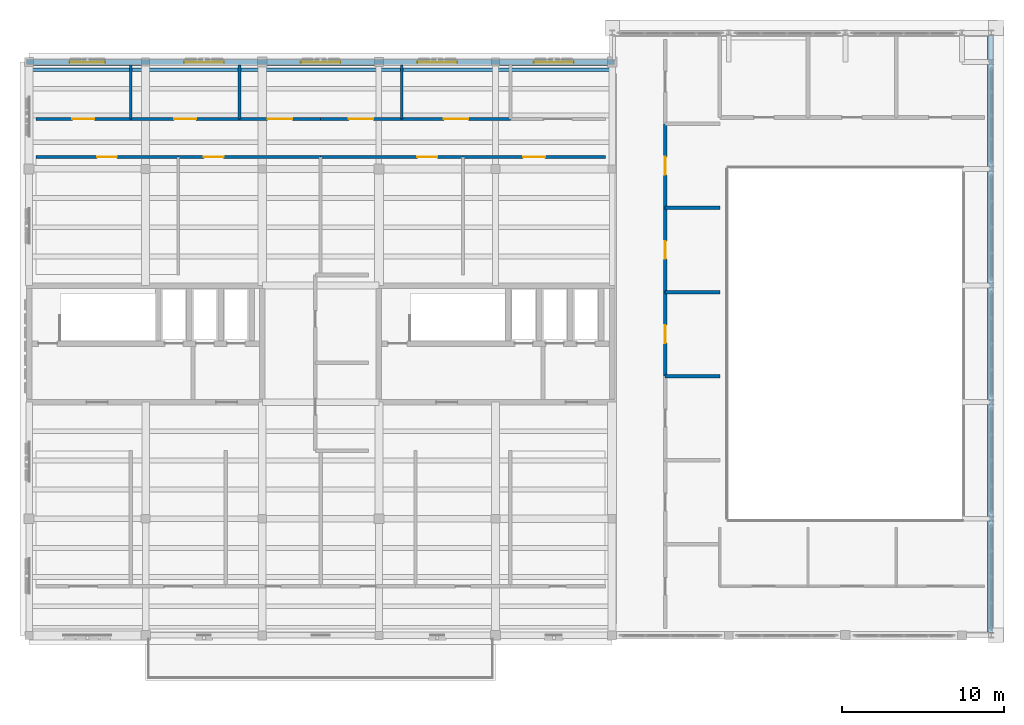
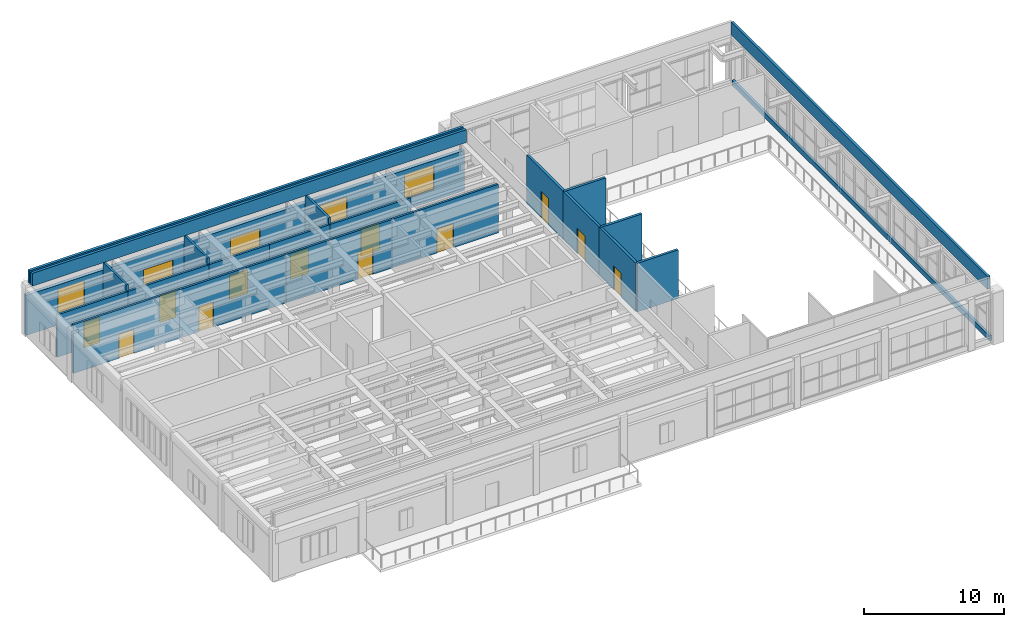
# One storey, part 15 of 18: 23 walls, 12 doors, 5 windows, 17 openings.
"""IFC4 building model written with IfcOpenShell, lengths in metres."""

from ifc_helpers import new_model, si_unit, direction, frame, frame_2d, origin, place, context, subcontext, project, spatial, rectangle, extrude, material, layer, layer_set, type_object, element, fill, save


model = new_model("IFC4")

# Units and contexts
model_context = context("Model", 3, precision=1e-05, world=origin(), true_north=direction((0.0, 1.0)))
body_context = subcontext(model_context, "Body", "Model", "MODEL_VIEW")
ifc_project = project(units=[si_unit("LENGTHUNIT", "METRE"), si_unit("AREAUNIT", "SQUARE_METRE"), si_unit("VOLUMEUNIT", "CUBIC_METRE"), si_unit("PLANEANGLEUNIT", "RADIAN"), si_unit("MASSUNIT", "GRAM", prefix="KILO")], contexts=[model_context])

# Site, building, storey
site_placement = place(None, origin())
site = spatial("IfcSite", under=ifc_project, at=site_placement, CompositionType="ELEMENT")
building_placement = place(site_placement, origin())
building = spatial("IfcBuilding", under=site, at=building_placement, Name="Mithqara Police Headquarters", CompositionType="ELEMENT")
storey_placement = place(building_placement, frame((0.0, 0.0, 30.89990234375)))
storey = spatial("IfcBuildingStorey", under=building, at=storey_placement, Name="L07", CompositionType="ELEMENT", Elevation=30.89990234375)

# Wall, openings, windows
ifc_material_1 = material(Name="Ochre masonry cavity wall, 35 MPa", Category="masonry")
ifc_layer_1 = layer(ifc_material_1, 0.300048828125, Name="Ochre masonry cavity wall, 35 MPa")
ifc_layer_set_1 = layer_set([ifc_layer_1], Name="Ochre masonry cavity wall, 35 MPa")
wall_type_1 = type_object("IfcWallType", Name="EXT WALL OCHRE BRICK300", PredefinedType="SOLIDWALL", material=ifc_layer_set_1)
wall_1_placement = place(storey_placement, frame((144.75, 114.0, 0.0), z_axis=(0.0, 0.0, 1.0), x_axis=(-1.0, 0.0, 0.0)))
wall_1 = element("IfcWall", 1, at=wall_1_placement, inside=storey, type_object=wall_type_1, Name="L07 Exterior Wall 6.1", PredefinedType="SOLIDWALL", context=body_context, shape_type="SweptSolid", body=[
    extrude(rectangle(XDim=36.300048828125, YDim=0.300048828125, at=frame_2d((18.14990234375, 0.0))), origin(), (0.0, 0.0, 1.0), 3.5),
])
opening_1_placement = place(wall_1_placement, frame((31.449951171875, 0.0, 0.949951171875)))
opening_1 = element("IfcOpeningElement", 2, at=opening_1_placement, cuts=wall_1, Name="Opening W-44", PredefinedType="OPENING", context=body_context, shape_type="SweptSolid", body=[
    extrude(rectangle(XDim=2.199951171875, YDim=2.14990234375, at=frame_2d((1.10009765625, 1.074951171875))), frame((0.0, 0.16015625, 0.0), z_axis=(0.0, -1.0, 0.0), x_axis=(1.0, 0.0, 0.0)), (0.0, 0.0, 1.0), 0.320068359375),
])
opening_2_placement = place(wall_1_placement, frame((24.125, 0.0, 0.949951171875)))
opening_2 = element("IfcOpeningElement", 3, at=opening_2_placement, cuts=wall_1, Name="Opening W-46", PredefinedType="OPENING", context=body_context, shape_type="SweptSolid", body=[
    extrude(rectangle(XDim=2.449951171875, YDim=1.39990234375, at=frame_2d((1.22509765625, 0.699951171875))), frame((0.0, 0.16015625, 0.0), z_axis=(0.0, -1.0, 0.0), x_axis=(1.0, 0.0, 0.0)), (0.0, 0.0, 1.0), 0.320068359375),
])
opening_3_placement = place(wall_1_placement, frame((16.925048828125, 0.0, 0.949951171875)))
opening_3 = element("IfcOpeningElement", 4, at=opening_3_placement, cuts=wall_1, Name="Opening W-47", PredefinedType="OPENING", context=body_context, shape_type="SweptSolid", body=[
    extrude(rectangle(XDim=2.449951171875, YDim=1.64990234375, at=frame_2d((1.22509765625, 0.824951171875))), frame((0.0, 0.16015625, 0.0), z_axis=(0.0, -1.0, 0.0), x_axis=(1.0, 0.0, 0.0)), (0.0, 0.0, 1.0), 0.320068359375),
])
opening_4_placement = place(wall_1_placement, frame((9.72509765625, 0.0, 0.949951171875)))
opening_4 = element("IfcOpeningElement", 5, at=opening_4_placement, cuts=wall_1, Name="Opening W-48", PredefinedType="OPENING", context=body_context, shape_type="SweptSolid", body=[
    extrude(rectangle(XDim=2.449951171875, YDim=1.89990234375, at=frame_2d((1.22509765625, 0.949951171875))), frame((0.0, 0.16015625, 0.0), z_axis=(0.0, -1.0, 0.0), x_axis=(1.0, 0.0, 0.0)), (0.0, 0.0, 1.0), 0.320068359375),
])
opening_5_placement = place(wall_1_placement, frame((2.52490234375, 0.0, 0.949951171875)))
opening_5 = element("IfcOpeningElement", 6, at=opening_5_placement, cuts=wall_1, Name="Opening W-49", PredefinedType="OPENING", context=body_context, shape_type="SweptSolid", body=[
    extrude(rectangle(XDim=2.449951171875, YDim=2.14990234375, at=frame_2d((1.22509765625, 1.074951171875))), frame((0.0, 0.16015625, 0.0), z_axis=(0.0, -1.0, 0.0), x_axis=(1.0, 0.0, 0.0)), (0.0, 0.0, 1.0), 0.320068359375),
])
ifc_material_2 = material(Name="Spectrally selective double low-e glass", Category="glass")
window_type_1 = type_object("IfcWindowType", Name="WINDOW 2200X2150", PartitioningType="DOUBLE_PANEL_VERTICAL", PredefinedType="WINDOW", material=ifc_material_2)
window_1_placement = place(opening_1_placement, origin())
window_1 = element("IfcWindow", 7, at=window_1_placement, inside=storey, type_object=window_type_1, Name="L07 Command Block Screened Window 6.1", OverallHeight=2.14990234375, OverallWidth=2.199951171875, PartitioningType="SINGLE_PANEL", PredefinedType="WINDOW", context=body_context, shape_type="SweptSolid", body=[
    extrude(rectangle(XDim=2.199951171875, YDim=2.14990234375, at=frame_2d((1.10009765625, 1.074951171875))), frame((0.0, 0.030029296875, 0.0), z_axis=(0.0, -1.0, 0.0), x_axis=(1.0, 0.0, 0.0)), (0.0, 0.0, 1.0), 0.06005859375),
])
fill(opening_1, window_1)
window_type_2 = type_object("IfcWindowType", Name="WINDOW 2450X1400", PartitioningType="DOUBLE_PANEL_VERTICAL", PredefinedType="WINDOW", material=ifc_material_2)
window_2_placement = place(opening_2_placement, origin())
window_2 = element("IfcWindow", 8, at=window_2_placement, inside=storey, type_object=window_type_2, Name="L07 Command Block Screened Window 6.2", OverallHeight=1.39990234375, OverallWidth=2.449951171875, PartitioningType="SINGLE_PANEL", PredefinedType="WINDOW", context=body_context, shape_type="SweptSolid", body=[
    extrude(rectangle(XDim=2.449951171875, YDim=1.39990234375, at=frame_2d((1.22509765625, 0.699951171875))), frame((0.0, 0.030029296875, 0.0), z_axis=(0.0, -1.0, 0.0), x_axis=(1.0, 0.0, 0.0)), (0.0, 0.0, 1.0), 0.06005859375),
])
fill(opening_2, window_2)
window_type_3 = type_object("IfcWindowType", Name="WINDOW 2450X1650", PartitioningType="DOUBLE_PANEL_VERTICAL", PredefinedType="WINDOW", material=ifc_material_2)
window_3_placement = place(opening_3_placement, origin())
window_3 = element("IfcWindow", 9, at=window_3_placement, inside=storey, type_object=window_type_3, Name="L07 Command Block Screened Window 6.3", OverallHeight=1.64990234375, OverallWidth=2.449951171875, PartitioningType="SINGLE_PANEL", PredefinedType="WINDOW", context=body_context, shape_type="SweptSolid", body=[
    extrude(rectangle(XDim=2.449951171875, YDim=1.64990234375, at=frame_2d((1.22509765625, 0.824951171875))), frame((0.0, 0.030029296875, 0.0), z_axis=(0.0, -1.0, 0.0), x_axis=(1.0, 0.0, 0.0)), (0.0, 0.0, 1.0), 0.06005859375),
])
fill(opening_3, window_3)
window_type_4 = type_object("IfcWindowType", Name="WINDOW 2450X1900", PartitioningType="DOUBLE_PANEL_VERTICAL", PredefinedType="WINDOW", material=ifc_material_2)
window_4_placement = place(opening_4_placement, origin())
window_4 = element("IfcWindow", 10, at=window_4_placement, inside=storey, type_object=window_type_4, Name="L07 Command Block Screened Window 6.4", OverallHeight=1.89990234375, OverallWidth=2.449951171875, PartitioningType="SINGLE_PANEL", PredefinedType="WINDOW", context=body_context, shape_type="SweptSolid", body=[
    extrude(rectangle(XDim=2.449951171875, YDim=1.89990234375, at=frame_2d((1.22509765625, 0.949951171875))), frame((0.0, 0.030029296875, 0.0), z_axis=(0.0, -1.0, 0.0), x_axis=(1.0, 0.0, 0.0)), (0.0, 0.0, 1.0), 0.06005859375),
])
fill(opening_4, window_4)
window_type_5 = type_object("IfcWindowType", Name="WINDOW 2450X2150", PartitioningType="DOUBLE_PANEL_VERTICAL", PredefinedType="WINDOW", material=ifc_material_2)
window_5_placement = place(opening_5_placement, origin())
window_5 = element("IfcWindow", 11, at=window_5_placement, inside=storey, type_object=window_type_5, Name="L07 Command Block Screened Window 6.5", OverallHeight=2.14990234375, OverallWidth=2.449951171875, PartitioningType="SINGLE_PANEL", PredefinedType="WINDOW", context=body_context, shape_type="SweptSolid", body=[
    extrude(rectangle(XDim=2.449951171875, YDim=2.14990234375, at=frame_2d((1.22509765625, 1.074951171875))), frame((0.0, 0.030029296875, 0.0), z_axis=(0.0, -1.0, 0.0), x_axis=(1.0, 0.0, 0.0)), (0.0, 0.0, 1.0), 0.06005859375),
])
fill(opening_5, window_5)

# Walls
ifc_material_3 = material(Name="Limestone ashlar masonry, 45 MPa", Category="masonry")
ifc_layer_2 = layer(ifc_material_3, 0.199951171875, Name="Limestone ashlar masonry, 45 MPa")
ifc_layer_set_2 = layer_set([ifc_layer_2], Name="Limestone ashlar masonry, 45 MPa")
wall_type_2 = type_object("IfcWallType", Name="PARAPET WALL 200", PredefinedType="PARAPET", material=ifc_layer_set_2)
wall_2_placement = place(storey_placement, frame((167.889892578125, 115.580078125, 4.5), z_axis=(0.0, 0.0, 1.0), x_axis=(0.0, -1.0, 0.0)))
element("IfcWall", 12, at=wall_2_placement, inside=storey, type_object=wall_type_2, Name="ROOF Limestone Roof Parapet ROOF-L07-00-56", PredefinedType="PARAPET", context=body_context, shape_type="SweptSolid", body=[
    extrude(rectangle(XDim=36.760009765625, YDim=0.199951171875, at=frame_2d((18.3798828125, 0.0))), origin(), (0.0, 0.0, 1.0), 1.1201171875),
])
ifc_layer_3 = layer(ifc_material_3, 0.219970703125, Name="Limestone ashlar masonry, 45 MPa")
ifc_layer_set_3 = layer_set([ifc_layer_3], Name="Limestone ashlar masonry, 45 MPa")
wall_type_3 = type_object("IfcWallType", Name="PARAPET WALL 220", PredefinedType="PARAPET", material=ifc_layer_set_3)
wall_3_placement = place(storey_placement, frame((168.0, 78.75, 0.0), z_axis=(0.0, 0.0, 1.0), x_axis=(0.0, 1.0, 0.0)))
element("IfcWall", 13, at=wall_3_placement, inside=storey, type_object=wall_type_3, Name="L07 Command Cube Sill Curb 3", PredefinedType="PARAPET", context=body_context, shape_type="SweptSolid", body=[
    extrude(rectangle(XDim=36.89990234375, YDim=0.219970703125, at=frame_2d((18.449951171875, 0.0))), origin(), (0.0, 0.0, 1.0), 0.4501953125),
])
wall_4_placement = place(storey_placement, frame((144.64990234375, 113.510009765625, 4.5), z_axis=(0.0, 0.0, 1.0), x_axis=(-1.0, 0.0, 0.0)))
element("IfcWall", 14, at=wall_4_placement, inside=storey, type_object=wall_type_3, Name="ROOF Limestone Roof Parapet ROOF-L07-00-35", PredefinedType="PARAPET", context=body_context, shape_type="SweptSolid", body=[
    extrude(rectangle(XDim=35.93994140625, YDim=0.219970703125, at=frame_2d((17.969970703125, 0.0))), origin(), (0.0, 0.0, 1.0), 1.1201171875),
])
wall_5_placement = place(storey_placement, frame((108.7099609375, 113.889892578125, 4.5), z_axis=(0.0, 0.0, 1.0), x_axis=(1.0, 0.0, 0.0)))
element("IfcWall", 15, at=wall_5_placement, inside=storey, type_object=wall_type_3, Name="ROOF Limestone Roof Parapet ROOF-L07-00-37", PredefinedType="PARAPET", context=body_context, shape_type="SweptSolid", body=[
    extrude(rectangle(XDim=35.89013671875, YDim=0.219970703125, at=frame_2d((17.945068359375, 0.0))), origin(), (0.0, 0.0, 1.0), 1.1201171875),
])

# Wall, opening, door
ifc_material_4 = material(Name="Concrete C40/50", Category="concrete")
ifc_layer_4 = layer(ifc_material_4, 0.179931640625, Name="Concrete C40/50")
ifc_layer_set_4 = layer_set([ifc_layer_4], Name="Concrete C40/50")
wall_type_4 = type_object("IfcWallType", Name="PART WALL 180", PredefinedType="PARTITIONING", material=ifc_layer_set_4)
wall_6_placement = place(storey_placement, frame((109.02001953125, 108.139892578125, 0.0), z_axis=(0.0, 0.0, 1.0), x_axis=(1.0, 0.0, 0.0)))
wall_6 = element("IfcWall", 16, at=wall_6_placement, inside=storey, type_object=wall_type_4, Name="L07 Corridor Wall Interagency Situation Room", PredefinedType="PARTITIONING", context=body_context, shape_type="SweptSolid", body=[
    extrude(rectangle(XDim=8.7900390625, YDim=0.179931640625, at=frame_2d((4.39501953125, 0.0))), origin(), (0.0, 0.0, 1.0), 4.25),
])
opening_6_placement = place(wall_6_placement, frame((3.784912109375, 0.0, 0.0)))
opening_6 = element("IfcOpeningElement", 17, at=opening_6_placement, cuts=wall_6, Name="Opening D-13", PredefinedType="OPENING", context=body_context, shape_type="SweptSolid", body=[
    extrude(rectangle(XDim=1.219970703125, YDim=2.10009765625, at=frame_2d((0.60986328125, 1.050048828125))), frame((0.0, 0.10009765625, 0.0), z_axis=(0.0, -1.0, 0.0), x_axis=(1.0, 0.0, 0.0)), (0.0, 0.0, 1.0), 0.199951171875),
])
ifc_material_5 = material(Name="Acoustic solid-core timber leaf", Category="wood")
door_type_1 = type_object("IfcDoorType", Name="INT DOOR 1220X2100", OperationType="NOTDEFINED", PredefinedType="DOOR", material=ifc_material_5)
door_1_placement = place(opening_6_placement, frame((1.219970703125, 0.0, 0.0), z_axis=(0.0, 0.0, 1.0), x_axis=(-1.0, 0.0, 0.0)))
door_1 = element("IfcDoor", 18, at=door_1_placement, inside=storey, type_object=door_type_1, Name="Interagency Situation Room Entry Door", OperationType="SINGLE_SWING_RIGHT", OverallHeight=2.10009765625, OverallWidth=1.219970703125, PredefinedType="DOOR", context=body_context, shape_type="SweptSolid", body=[
    extrude(rectangle(XDim=1.219970703125, YDim=2.10009765625, at=frame_2d((0.60986328125, 1.050048828125))), frame((0.0, 0.02490234375, 0.0), z_axis=(0.0, -1.0, 0.0), x_axis=(1.0, 0.0, 0.0)), (0.0, 0.0, 1.0), 0.050048828125),
])
fill(opening_6, door_1)

wall_7_placement = place(storey_placement, frame((117.81005859375, 108.139892578125, 0.0), z_axis=(0.0, 0.0, 1.0), x_axis=(1.0, 0.0, 0.0)))
wall_7 = element("IfcWall", 19, at=wall_7_placement, inside=storey, type_object=wall_type_4, Name="L07 Corridor Wall Secure Satellite Communications Room", PredefinedType="PARTITIONING", context=body_context, shape_type="SweptSolid", body=[
    extrude(rectangle(XDim=8.7900390625, YDim=0.179931640625, at=frame_2d((4.39501953125, 0.0))), origin(), (0.0, 0.0, 1.0), 4.25),
])
opening_7_placement = place(wall_7_placement, frame((1.58740234375, 0.0, 0.0)))
opening_7 = element("IfcOpeningElement", 20, at=opening_7_placement, cuts=wall_7, Name="Opening D-14", PredefinedType="OPENING", context=body_context, shape_type="SweptSolid", body=[
    extrude(rectangle(XDim=1.219970703125, YDim=2.219970703125, at=frame_2d((0.60986328125, 1.10986328125))), frame((0.0, 0.10009765625, 0.0), z_axis=(0.0, -1.0, 0.0), x_axis=(1.0, 0.0, 0.0)), (0.0, 0.0, 1.0), 0.199951171875),
])
door_type_2 = type_object("IfcDoorType", Name="INT DOOR 1220X2220", OperationType="NOTDEFINED", PredefinedType="DOOR", material=ifc_material_5)
door_2_placement = place(opening_7_placement, frame((1.219970703125, 0.0, 0.0), z_axis=(0.0, 0.0, 1.0), x_axis=(-1.0, 0.0, 0.0)))
door_2 = element("IfcDoor", 21, at=door_2_placement, inside=storey, type_object=door_type_2, Name="Secure Satellite Communications Room Entry Door", OperationType="SINGLE_SWING_LEFT", OverallHeight=2.219970703125, OverallWidth=1.219970703125, PredefinedType="DOOR", context=body_context, shape_type="SweptSolid", body=[
    extrude(rectangle(XDim=1.219970703125, YDim=2.219970703125, at=frame_2d((0.60986328125, 1.10986328125))), frame((0.0, 0.02490234375, 0.0), z_axis=(0.0, -1.0, 0.0), x_axis=(1.0, 0.0, 0.0)), (0.0, 0.0, 1.0), 0.050048828125),
])
fill(opening_7, door_2)

wall_8_placement = place(storey_placement, frame((126.60009765625, 108.139892578125, 0.0), z_axis=(0.0, 0.0, 1.0), x_axis=(1.0, 0.0, 0.0)))
wall_8 = element("IfcWall", 22, at=wall_8_placement, inside=storey, type_object=wall_type_4, Name="L07 Corridor Wall Executive Conference Room", PredefinedType="PARTITIONING", context=body_context, shape_type="SweptSolid", body=[
    extrude(rectangle(XDim=8.789794921875, YDim=0.179931640625, at=frame_2d((4.39501953125, 0.0))), origin(), (0.0, 0.0, 1.0), 4.25),
])
opening_8_placement = place(wall_8_placement, frame((5.982421875, 0.0, 0.0)))
opening_8 = element("IfcOpeningElement", 23, at=opening_8_placement, cuts=wall_8, Name="Opening D-15", PredefinedType="OPENING", context=body_context, shape_type="SweptSolid", body=[
    extrude(rectangle(XDim=1.219970703125, YDim=2.35009765625, at=frame_2d((0.60986328125, 1.175048828125))), frame((0.0, 0.10009765625, 0.0), z_axis=(0.0, -1.0, 0.0), x_axis=(1.0, 0.0, 0.0)), (0.0, 0.0, 1.0), 0.199951171875),
])
door_type_3 = type_object("IfcDoorType", Name="INT DOOR 1220X2350", OperationType="NOTDEFINED", PredefinedType="DOOR", material=ifc_material_5)
door_3_placement = place(opening_8_placement, frame((1.219970703125, 0.0, 0.0), z_axis=(0.0, 0.0, 1.0), x_axis=(-1.0, 0.0, 0.0)))
door_3 = element("IfcDoor", 24, at=door_3_placement, inside=storey, type_object=door_type_3, Name="Executive Conference Room Entry Door", OperationType="SINGLE_SWING_RIGHT", OverallHeight=2.35009765625, OverallWidth=1.219970703125, PredefinedType="DOOR", context=body_context, shape_type="SweptSolid", body=[
    extrude(rectangle(XDim=1.219970703125, YDim=2.35009765625, at=frame_2d((0.60986328125, 1.175048828125))), frame((0.0, 0.02490234375, 0.0), z_axis=(0.0, -1.0, 0.0), x_axis=(1.0, 0.0, 0.0)), (0.0, 0.0, 1.0), 0.050048828125),
])
fill(opening_8, door_3)

wall_9_placement = place(storey_placement, frame((135.389892578125, 108.139892578125, 0.0), z_axis=(0.0, 0.0, 1.0), x_axis=(1.0, 0.0, 0.0)))
wall_9 = element("IfcWall", 25, at=wall_9_placement, inside=storey, type_object=wall_type_4, Name="L07 Corridor Wall Interagency Situation Room", PredefinedType="PARTITIONING", context=body_context, shape_type="SweptSolid", body=[
    extrude(rectangle(XDim=8.7900390625, YDim=0.179931640625, at=frame_2d((4.39501953125, 0.0))), origin(), (0.0, 0.0, 1.0), 4.25),
])
opening_9_placement = place(wall_9_placement, frame((3.715087890625, 0.0, 0.0)))
opening_9 = element("IfcOpeningElement", 26, at=opening_9_placement, cuts=wall_9, Name="Opening D-16", PredefinedType="OPENING", context=body_context, shape_type="SweptSolid", body=[
    extrude(rectangle(XDim=1.360107421875, YDim=2.10009765625, at=frame_2d((0.68017578125, 1.050048828125))), frame((0.0, 0.10009765625, 0.0), z_axis=(0.0, -1.0, 0.0), x_axis=(1.0, 0.0, 0.0)), (0.0, 0.0, 1.0), 0.199951171875),
])
ifc_material_6 = material(Name="Bronze anodised aluminium 6063-T6", Category="aluminium")
door_type_4 = type_object("IfcDoorType", Name="INT DOOR 1360X2100", OperationType="NOTDEFINED", PredefinedType="DOOR", material=ifc_material_6)
door_4_placement = place(opening_9_placement, frame((1.360107421875, 0.0, 0.0), z_axis=(0.0, 0.0, 1.0), x_axis=(-1.0, 0.0, 0.0)))
door_4 = element("IfcDoor", 27, at=door_4_placement, inside=storey, type_object=door_type_4, Name="Interagency Situation Room Entry Door", OperationType="SINGLE_SWING_LEFT", OverallHeight=2.10009765625, OverallWidth=1.360107421875, PredefinedType="DOOR", context=body_context, shape_type="SweptSolid", body=[
    extrude(rectangle(XDim=1.360107421875, YDim=2.10009765625, at=frame_2d((0.68017578125, 1.050048828125))), frame((0.0, 0.02490234375, 0.0), z_axis=(0.0, -1.0, 0.0), x_axis=(1.0, 0.0, 0.0)), (0.0, 0.0, 1.0), 0.050048828125),
])
fill(opening_9, door_4)

wall_10_placement = place(storey_placement, frame((109.02001953125, 110.47998046875, 0.0), z_axis=(0.0, 0.0, 1.0), x_axis=(1.0, 0.0, 0.0)))
wall_10 = element("IfcWall", 28, at=wall_10_placement, inside=storey, type_object=wall_type_4, Name="L07 Corridor Wall Female Staff WC", PredefinedType="PARTITIONING", context=body_context, shape_type="SweptSolid", body=[
    extrude(rectangle(XDim=5.85986328125, YDim=0.179931640625, at=frame_2d((2.929931640625, 0.0))), origin(), (0.0, 0.0, 1.0), 3.7001953125),
])
opening_10_placement = place(wall_10_placement, frame((2.25, 0.0, 0.0)))
opening_10 = element("IfcOpeningElement", 29, at=opening_10_placement, cuts=wall_10, Name="Opening D-17", PredefinedType="OPENING", context=body_context, shape_type="SweptSolid", body=[
    extrude(rectangle(XDim=1.360107421875, YDim=2.219970703125, at=frame_2d((0.68017578125, 1.10986328125))), frame((0.0, 0.10009765625, 0.0), z_axis=(0.0, -1.0, 0.0), x_axis=(1.0, 0.0, 0.0)), (0.0, 0.0, 1.0), 0.199951171875),
])
door_type_5 = type_object("IfcDoorType", Name="INT DOOR 1360X2220", OperationType="NOTDEFINED", PredefinedType="DOOR", material=ifc_material_6)
door_5_placement = place(opening_10_placement, origin())
door_5 = element("IfcDoor", 30, at=door_5_placement, inside=storey, type_object=door_type_5, Name="Female Staff WC Entry Door", OperationType="SINGLE_SWING_RIGHT", OverallHeight=2.219970703125, OverallWidth=1.360107421875, PredefinedType="DOOR", context=body_context, shape_type="SweptSolid", body=[
    extrude(rectangle(XDim=1.360107421875, YDim=2.219970703125, at=frame_2d((0.68017578125, 1.10986328125))), frame((0.0, 0.02490234375, 0.0), z_axis=(0.0, -1.0, 0.0), x_axis=(1.0, 0.0, 0.0)), (0.0, 0.0, 1.0), 0.050048828125),
])
fill(opening_10, door_5)

# Wall
wall_11_placement = place(storey_placement, frame((114.8798828125, 110.47998046875, 0.0), z_axis=(0.0, 0.0, 1.0), x_axis=(0.0, 1.0, 0.0)))
element("IfcWall", 31, at=wall_11_placement, inside=storey, type_object=wall_type_4, Name="L07 Room Partition Female Staff WC", PredefinedType="PARTITIONING", context=body_context, shape_type="SweptSolid", body=[
    extrude(rectangle(XDim=3.340087890625, YDim=0.179931640625, at=frame_2d((1.669921875, 0.0))), origin(), (0.0, 0.0, 1.0), 4.25),
])

# Wall, opening, door
wall_12_placement = place(storey_placement, frame((114.8798828125, 110.47998046875, 0.0), z_axis=(0.0, 0.0, 1.0), x_axis=(1.0, 0.0, 0.0)))
wall_12 = element("IfcWall", 32, at=wall_12_placement, inside=storey, type_object=wall_type_4, Name="L07 Corridor Wall Accessible WC", PredefinedType="PARTITIONING", context=body_context, shape_type="SweptSolid", body=[
    extrude(rectangle(XDim=6.710205078125, YDim=0.179931640625, at=frame_2d((3.35498046875, 0.0))), origin(), (0.0, 0.0, 1.0), 3.7001953125),
])
opening_11_placement = place(wall_12_placement, frame((2.675048828125, 0.0, 0.0)))
opening_11 = element("IfcOpeningElement", 33, at=opening_11_placement, cuts=wall_12, Name="Opening D-18", PredefinedType="OPENING", context=body_context, shape_type="SweptSolid", body=[
    extrude(rectangle(XDim=1.360107421875, YDim=2.35009765625, at=frame_2d((0.68017578125, 1.175048828125))), frame((0.0, 0.10009765625, 0.0), z_axis=(0.0, -1.0, 0.0), x_axis=(1.0, 0.0, 0.0)), (0.0, 0.0, 1.0), 0.199951171875),
])
door_type_6 = type_object("IfcDoorType", Name="INT DOOR 1360X2350", OperationType="NOTDEFINED", PredefinedType="DOOR", material=ifc_material_6)
door_6_placement = place(opening_11_placement, origin())
door_6 = element("IfcDoor", 34, at=door_6_placement, inside=storey, type_object=door_type_6, Name="Accessible WC Entry Door", OperationType="SINGLE_SWING_LEFT", OverallHeight=2.35009765625, OverallWidth=1.360107421875, PredefinedType="DOOR", context=body_context, shape_type="SweptSolid", body=[
    extrude(rectangle(XDim=1.360107421875, YDim=2.35009765625, at=frame_2d((0.68017578125, 1.175048828125))), frame((0.0, 0.02490234375, 0.0), z_axis=(0.0, -1.0, 0.0), x_axis=(1.0, 0.0, 0.0)), (0.0, 0.0, 1.0), 0.050048828125),
])
fill(opening_11, door_6)

# Wall
wall_13_placement = place(storey_placement, frame((121.590087890625, 110.47998046875, 0.0), z_axis=(0.0, 0.0, 1.0), x_axis=(0.0, 1.0, 0.0)))
element("IfcWall", 35, at=wall_13_placement, inside=storey, type_object=wall_type_4, Name="L07 Room Partition Accessible WC", PredefinedType="PARTITIONING", context=body_context, shape_type="SweptSolid", body=[
    extrude(rectangle(XDim=3.340087890625, YDim=0.179931640625, at=frame_2d((1.669921875, 0.0))), origin(), (0.0, 0.0, 1.0), 4.25),
])

# Wall, opening, door
wall_14_placement = place(storey_placement, frame((121.590087890625, 110.47998046875, 0.0), z_axis=(0.0, 0.0, 1.0), x_axis=(1.0, 0.0, 0.0)))
wall_14 = element("IfcWall", 36, at=wall_14_placement, inside=storey, type_object=wall_type_4, Name="L07 Corridor Wall Interagency Situation Room", PredefinedType="PARTITIONING", context=body_context, shape_type="SweptSolid", body=[
    extrude(rectangle(XDim=5.010009765625, YDim=0.179931640625, at=frame_2d((2.5048828125, 0.0))), origin(), (0.0, 0.0, 1.0), 3.7001953125),
])
opening_12_placement = place(wall_14_placement, frame((1.7451171875, 0.0, 0.0)))
opening_12 = element("IfcOpeningElement", 37, at=opening_12_placement, cuts=wall_14, Name="Opening D-19", PredefinedType="OPENING", context=body_context, shape_type="SweptSolid", body=[
    extrude(rectangle(XDim=1.52001953125, YDim=2.10009765625, at=frame_2d((0.760009765625, 1.050048828125))), frame((0.0, 0.10009765625, 0.0), z_axis=(0.0, -1.0, 0.0), x_axis=(1.0, 0.0, 0.0)), (0.0, 0.0, 1.0), 0.199951171875),
])
door_type_7 = type_object("IfcDoorType", Name="INT DOOR 1520X2100", OperationType="NOTDEFINED", PredefinedType="DOOR", material=ifc_material_6)
door_7_placement = place(opening_12_placement, origin())
door_7 = element("IfcDoor", 38, at=door_7_placement, inside=storey, type_object=door_type_7, Name="Interagency Situation Room Entry Door", OperationType="DOUBLE_DOOR_SINGLE_SWING", OverallHeight=2.10009765625, OverallWidth=1.52001953125, PredefinedType="DOOR", context=body_context, shape_type="SweptSolid", body=[
    extrude(rectangle(XDim=1.52001953125, YDim=2.10009765625, at=frame_2d((0.760009765625, 1.050048828125))), frame((0.0, 0.02490234375, 0.0), z_axis=(0.0, -1.0, 0.0), x_axis=(1.0, 0.0, 0.0)), (0.0, 0.0, 1.0), 0.050048828125),
])
fill(opening_12, door_7)

wall_15_placement = place(storey_placement, frame((126.60009765625, 110.47998046875, 0.0), z_axis=(0.0, 0.0, 1.0), x_axis=(1.0, 0.0, 0.0)))
wall_15 = element("IfcWall", 39, at=wall_15_placement, inside=storey, type_object=wall_type_4, Name="L07 Corridor Wall Secure Satellite Communications Room", PredefinedType="PARTITIONING", context=body_context, shape_type="SweptSolid", body=[
    extrude(rectangle(XDim=5.010009765625, YDim=0.179931640625, at=frame_2d((2.5048828125, 0.0))), origin(), (0.0, 0.0, 1.0), 3.7001953125),
])
opening_13_placement = place(wall_15_placement, frame((1.7451171875, 0.0, 0.0)))
opening_13 = element("IfcOpeningElement", 40, at=opening_13_placement, cuts=wall_15, Name="Opening D-20", PredefinedType="OPENING", context=body_context, shape_type="SweptSolid", body=[
    extrude(rectangle(XDim=1.52001953125, YDim=2.219970703125, at=frame_2d((0.760009765625, 1.10986328125))), frame((0.0, 0.10009765625, 0.0), z_axis=(0.0, -1.0, 0.0), x_axis=(1.0, 0.0, 0.0)), (0.0, 0.0, 1.0), 0.199951171875),
])
door_type_8 = type_object("IfcDoorType", Name="INT DOOR 1520X2220", OperationType="NOTDEFINED", PredefinedType="DOOR", material=ifc_material_6)
door_8_placement = place(opening_13_placement, origin())
door_8 = element("IfcDoor", 41, at=door_8_placement, inside=storey, type_object=door_type_8, Name="Secure Satellite Communications Room Entry Door", OperationType="DOUBLE_DOOR_SINGLE_SWING", OverallHeight=2.219970703125, OverallWidth=1.52001953125, PredefinedType="DOOR", context=body_context, shape_type="SweptSolid", body=[
    extrude(rectangle(XDim=1.52001953125, YDim=2.219970703125, at=frame_2d((0.760009765625, 1.10986328125))), frame((0.0, 0.02490234375, 0.0), z_axis=(0.0, -1.0, 0.0), x_axis=(1.0, 0.0, 0.0)), (0.0, 0.0, 1.0), 0.050048828125),
])
fill(opening_13, door_8)

# Wall
wall_16_placement = place(storey_placement, frame((131.610107421875, 110.47998046875, 0.0), z_axis=(0.0, 0.0, 1.0), x_axis=(0.0, 1.0, 0.0)))
element("IfcWall", 42, at=wall_16_placement, inside=storey, type_object=wall_type_4, Name="L07 Room Partition Secure Satellite Communications Room", PredefinedType="PARTITIONING", context=body_context, shape_type="SweptSolid", body=[
    extrude(rectangle(XDim=3.340087890625, YDim=0.179931640625, at=frame_2d((1.669921875, 0.0))), origin(), (0.0, 0.0, 1.0), 4.25),
])

# Wall, opening, door
wall_17_placement = place(storey_placement, frame((131.610107421875, 110.47998046875, 0.0), z_axis=(0.0, 0.0, 1.0), x_axis=(1.0, 0.0, 0.0)))
wall_17 = element("IfcWall", 43, at=wall_17_placement, inside=storey, type_object=wall_type_4, Name="L07 Corridor Wall Executive Conference Room", PredefinedType="PARTITIONING", context=body_context, shape_type="SweptSolid", body=[
    extrude(rectangle(XDim=6.7099609375, YDim=0.179931640625, at=frame_2d((3.35498046875, 0.0))), origin(), (0.0, 0.0, 1.0), 3.7001953125),
])
opening_14_placement = place(wall_17_placement, frame((2.594970703125, 0.0, 0.0)))
opening_14 = element("IfcOpeningElement", 44, at=opening_14_placement, cuts=wall_17, Name="Opening D-21", PredefinedType="OPENING", context=body_context, shape_type="SweptSolid", body=[
    extrude(rectangle(XDim=1.52001953125, YDim=2.35009765625, at=frame_2d((0.760009765625, 1.175048828125))), frame((0.0, 0.10009765625, 0.0), z_axis=(0.0, -1.0, 0.0), x_axis=(1.0, 0.0, 0.0)), (0.0, 0.0, 1.0), 0.199951171875),
])
door_type_9 = type_object("IfcDoorType", Name="INT DOOR 1520X2350", OperationType="NOTDEFINED", PredefinedType="DOOR", material=ifc_material_6)
door_9_placement = place(opening_14_placement, origin())
door_9 = element("IfcDoor", 45, at=door_9_placement, inside=storey, type_object=door_type_9, Name="Executive Conference Room Entry Door", OperationType="DOUBLE_DOOR_SINGLE_SWING", OverallHeight=2.35009765625, OverallWidth=1.52001953125, PredefinedType="DOOR", context=body_context, shape_type="SweptSolid", body=[
    extrude(rectangle(XDim=1.52001953125, YDim=2.35009765625, at=frame_2d((0.760009765625, 1.175048828125))), frame((0.0, 0.02490234375, 0.0), z_axis=(0.0, -1.0, 0.0), x_axis=(1.0, 0.0, 0.0)), (0.0, 0.0, 1.0), 0.050048828125),
])
fill(opening_14, door_9)

# Wall
ifc_layer_5 = layer(ifc_material_4, 0.2099609375, Name="Concrete C40/50")
ifc_layer_set_5 = layer_set([ifc_layer_5], Name="Concrete C40/50")
wall_type_5 = type_object("IfcWallType", Name="PART WALL 210", PredefinedType="PARTITIONING", material=ifc_layer_set_5)
wall_18_placement = place(storey_placement, frame((147.8701171875, 94.60302734375, 0.0), z_axis=(0.0, 0.0, 1.0), x_axis=(1.0, 0.0, 0.0)))
element("IfcWall", 46, at=wall_18_placement, inside=storey, type_object=wall_type_5, Name="L07 Room Partition Gold Command Decision Room", PredefinedType="PARTITIONING", context=body_context, shape_type="SweptSolid", body=[
    extrude(rectangle(XDim=3.3798828125, YDim=0.2099609375, at=frame_2d((1.68994140625, 0.0))), origin(), (0.0, 0.0, 1.0), 4.25),
])

# Wall, opening, door
wall_19_placement = place(storey_placement, frame((147.8701171875, 94.60302734375, 0.0), z_axis=(0.0, 0.0, 1.0), x_axis=(0.0, 1.0, 0.0)))
wall_19 = element("IfcWall", 47, at=wall_19_placement, inside=storey, type_object=wall_type_5, Name="L07 Corridor Wall Command Viewing Gallery", PredefinedType="PARTITIONING", context=body_context, shape_type="SweptSolid", body=[
    extrude(rectangle(XDim=5.194091796875, YDim=0.2099609375, at=frame_2d((2.59716796875, 0.0))), origin(), (0.0, 0.0, 1.0), 4.25),
])
opening_15_placement = place(wall_19_placement, frame((2.047119140625, 0.0, 0.0)))
opening_15 = element("IfcOpeningElement", 48, at=opening_15_placement, cuts=wall_19, Name="Opening D-10", PredefinedType="OPENING", context=body_context, shape_type="SweptSolid", body=[
    extrude(rectangle(XDim=1.10009765625, YDim=2.10009765625, at=frame_2d((0.550048828125, 1.050048828125))), frame((0.0, 0.114990234375, 0.0), z_axis=(0.0, -1.0, 0.0), x_axis=(1.0, 0.0, 0.0)), (0.0, 0.0, 1.0), 0.22998046875),
])
door_type_10 = type_object("IfcDoorType", Name="INT DOOR 1100X2100", OperationType="NOTDEFINED", PredefinedType="DOOR", material=ifc_material_5)
door_10_placement = place(opening_15_placement, origin())
door_10 = element("IfcDoor", 49, at=door_10_placement, inside=storey, type_object=door_type_10, Name="Command Viewing Gallery Entry Door", OperationType="SINGLE_SWING_LEFT", OverallHeight=2.10009765625, OverallWidth=1.10009765625, PredefinedType="DOOR", context=body_context, shape_type="SweptSolid", body=[
    extrude(rectangle(XDim=1.10009765625, YDim=2.10009765625, at=frame_2d((0.550048828125, 1.050048828125))), frame((0.0, 0.02490234375, 0.0), z_axis=(0.0, -1.0, 0.0), x_axis=(1.0, 0.0, 0.0)), (0.0, 0.0, 1.0), 0.050048828125),
])
fill(opening_15, door_10)

# Wall
wall_20_placement = place(storey_placement, frame((147.8701171875, 99.797119140625, 0.0), z_axis=(0.0, 0.0, 1.0), x_axis=(1.0, 0.0, 0.0)))
element("IfcWall", 50, at=wall_20_placement, inside=storey, type_object=wall_type_5, Name="L07 Room Partition Command Viewing Gallery", PredefinedType="PARTITIONING", context=body_context, shape_type="SweptSolid", body=[
    extrude(rectangle(XDim=3.3798828125, YDim=0.2099609375, at=frame_2d((1.68994140625, 0.0))), origin(), (0.0, 0.0, 1.0), 4.25),
])

# Wall, opening, door
wall_21_placement = place(storey_placement, frame((147.8701171875, 99.797119140625, 0.0), z_axis=(0.0, 0.0, 1.0), x_axis=(0.0, 1.0, 0.0)))
wall_21 = element("IfcWall", 51, at=wall_21_placement, inside=storey, type_object=wall_type_5, Name="L07 Corridor Wall Crisis Management Suite", PredefinedType="PARTITIONING", context=body_context, shape_type="SweptSolid", body=[
    extrude(rectangle(XDim=5.19384765625, YDim=0.2099609375, at=frame_2d((2.596923828125, 0.0))), origin(), (0.0, 0.0, 1.0), 4.25),
])
opening_16_placement = place(wall_21_placement, frame((2.047119140625, 0.0, 0.0)))
opening_16 = element("IfcOpeningElement", 52, at=opening_16_placement, cuts=wall_21, Name="Opening D-11", PredefinedType="OPENING", context=body_context, shape_type="SweptSolid", body=[
    extrude(rectangle(XDim=1.10009765625, YDim=2.219970703125, at=frame_2d((0.550048828125, 1.10986328125))), frame((0.0, 0.114990234375, 0.0), z_axis=(0.0, -1.0, 0.0), x_axis=(1.0, 0.0, 0.0)), (0.0, 0.0, 1.0), 0.22998046875),
])
door_type_11 = type_object("IfcDoorType", Name="INT DOOR 1100X2220", OperationType="NOTDEFINED", PredefinedType="DOOR", material=ifc_material_5)
door_11_placement = place(opening_16_placement, origin())
door_11 = element("IfcDoor", 53, at=door_11_placement, inside=storey, type_object=door_type_11, Name="Crisis Management Suite Entry Door", OperationType="SINGLE_SWING_RIGHT", OverallHeight=2.219970703125, OverallWidth=1.10009765625, PredefinedType="DOOR", context=body_context, shape_type="SweptSolid", body=[
    extrude(rectangle(XDim=1.10009765625, YDim=2.219970703125, at=frame_2d((0.550048828125, 1.10986328125))), frame((0.0, 0.02490234375, 0.0), z_axis=(0.0, -1.0, 0.0), x_axis=(1.0, 0.0, 0.0)), (0.0, 0.0, 1.0), 0.050048828125),
])
fill(opening_16, door_11)

# Wall
wall_22_placement = place(storey_placement, frame((147.8701171875, 104.990966796875, 0.0), z_axis=(0.0, 0.0, 1.0), x_axis=(1.0, 0.0, 0.0)))
element("IfcWall", 54, at=wall_22_placement, inside=storey, type_object=wall_type_5, Name="L07 Room Partition Crisis Management Suite", PredefinedType="PARTITIONING", context=body_context, shape_type="SweptSolid", body=[
    extrude(rectangle(XDim=3.3798828125, YDim=0.2099609375, at=frame_2d((1.68994140625, 0.0))), origin(), (0.0, 0.0, 1.0), 4.25),
])

# Wall, opening, door
wall_23_placement = place(storey_placement, frame((147.8701171875, 104.990966796875, 0.0), z_axis=(0.0, 0.0, 1.0), x_axis=(0.0, 1.0, 0.0)))
wall_23 = element("IfcWall", 55, at=wall_23_placement, inside=storey, type_object=wall_type_5, Name="L07 Corridor Wall Gold Command Decision Room", PredefinedType="PARTITIONING", context=body_context, shape_type="SweptSolid", body=[
    extrude(rectangle(XDim=5.195068359375, YDim=0.2099609375, at=frame_2d((2.59765625, 0.0))), origin(), (0.0, 0.0, 1.0), 4.25),
])
opening_17_placement = place(wall_23_placement, frame((2.047607421875, 0.0, 0.0)))
opening_17 = element("IfcOpeningElement", 56, at=opening_17_placement, cuts=wall_23, Name="Opening D-12", PredefinedType="OPENING", context=body_context, shape_type="SweptSolid", body=[
    extrude(rectangle(XDim=1.10009765625, YDim=2.35009765625, at=frame_2d((0.550048828125, 1.175048828125))), frame((0.0, 0.114990234375, 0.0), z_axis=(0.0, -1.0, 0.0), x_axis=(1.0, 0.0, 0.0)), (0.0, 0.0, 1.0), 0.22998046875),
])
door_type_12 = type_object("IfcDoorType", Name="INT DOOR 1100X2350", OperationType="NOTDEFINED", PredefinedType="DOOR", material=ifc_material_5)
door_12_placement = place(opening_17_placement, origin())
door_12 = element("IfcDoor", 57, at=door_12_placement, inside=storey, type_object=door_type_12, Name="Gold Command Decision Room Entry Door", OperationType="SINGLE_SWING_LEFT", OverallHeight=2.35009765625, OverallWidth=1.10009765625, PredefinedType="DOOR", context=body_context, shape_type="SweptSolid", body=[
    extrude(rectangle(XDim=1.10009765625, YDim=2.35009765625, at=frame_2d((0.550048828125, 1.175048828125))), frame((0.0, 0.02490234375, 0.0), z_axis=(0.0, -1.0, 0.0), x_axis=(1.0, 0.0, 0.0)), (0.0, 0.0, 1.0), 0.050048828125),
])
fill(opening_17, door_12)

save(model, "model.ifc")
